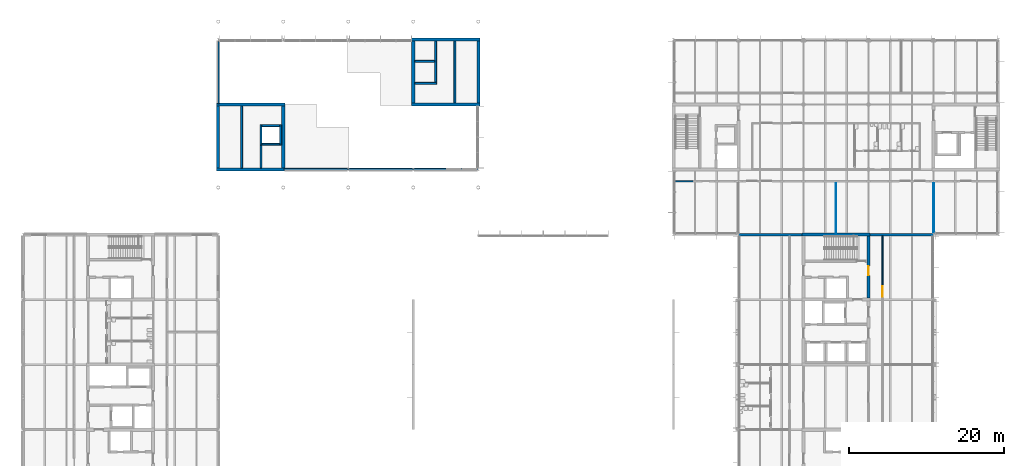
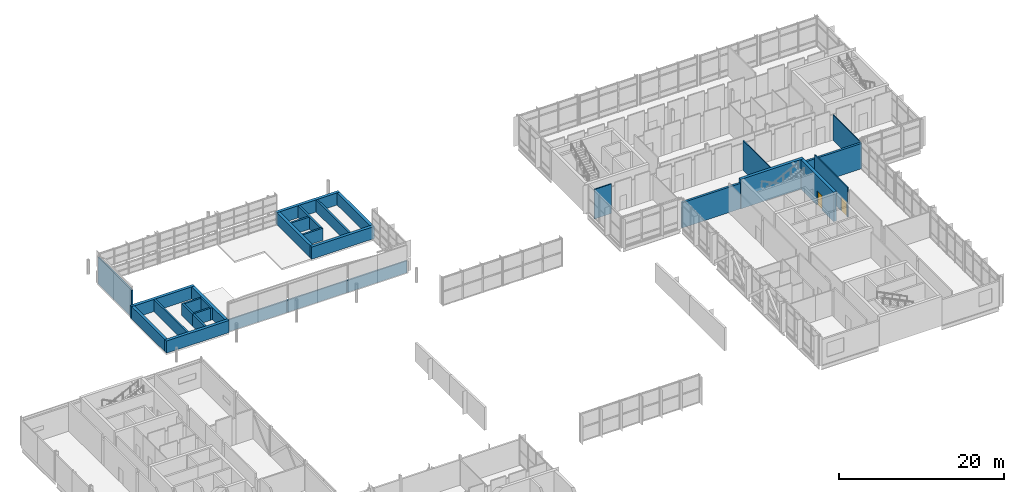
# One storey, part 46 of 72: 30 walls, 2 doors, 2 openings.
"""IFC4 building model written with IfcOpenShell, lengths in metres."""

from ifc_helpers import new_model, si_unit, direction, frame, frame_2d, origin, place, context, subcontext, project, spatial, rectangle, extrude, material, layer, layer_set, type_object, element, fill, save


model = new_model("IFC4")

# Units and contexts
model_context = context("Model", 3, precision=1e-05, world=origin(), true_north=direction((0.0, 1.0)))
body_context = subcontext(model_context, "Body", "Model", "MODEL_VIEW")
ifc_project = project(units=[si_unit("LENGTHUNIT", "METRE"), si_unit("AREAUNIT", "SQUARE_METRE"), si_unit("VOLUMEUNIT", "CUBIC_METRE"), si_unit("PLANEANGLEUNIT", "RADIAN"), si_unit("MASSUNIT", "GRAM", prefix="KILO")], contexts=[model_context])

# Site, building, storey
site_placement = place(None, origin())
site = spatial("IfcSite", under=ifc_project, at=site_placement, CompositionType="ELEMENT")
building_placement = place(site_placement, origin())
building = spatial("IfcBuilding", under=site, at=building_placement, Name="Hlaing Beacon Police Headquarters", CompositionType="ELEMENT")
storey_placement = place(building_placement, frame((0.0, 0.0, 14.39990234375)))
storey = spatial("IfcBuildingStorey", under=building, at=storey_placement, Name="L03", CompositionType="ELEMENT", Elevation=14.39990234375)

# Walls
ifc_material_1 = material(Name="Concrete C40/50", Category="concrete")
ifc_layer_1 = layer(ifc_material_1, 0.300048828125)
ifc_layer_set_1 = layer_set([ifc_layer_1], Name="Concrete C40/50")
wall_type_1 = type_object("IfcWallType", Name="Compartment wall 300", PredefinedType="SOLIDWALL", material=ifc_layer_set_1)
for number, where, z_axis, x_axis, name in (
    (1, (125.998046875, 67.199951171875, 0.0), (0.0, 0.0, 1.0), (-1.0, 0.0, 0.0), "Compartment wall L03 N028"),
    (2, (109.0, 67.199951171875, 0.0), (0.0, 0.0, 1.0), (-1.0, 0.0, 0.0), "Compartment wall L03 N029"),
):
    element("IfcWall", number, at=place(storey_placement, frame(where, z_axis=z_axis, x_axis=x_axis)), inside=storey, type_object=wall_type_1, Name=name, PredefinedType="SOLIDWALL", context=body_context, shape_type="SweptSolid", body=[
        extrude(rectangle(XDim=8.197998046875, YDim=0.300048828125, at=frame_2d((4.09912109375, 0.0))), origin(), (0.0, 0.0, 1.0), 3.74609375),
    ])
ifc_material_2 = material(Name="Concrete C60/75", Category="concrete")
ifc_layer_2 = layer(ifc_material_2, 0.39990234375)
ifc_layer_set_2 = layer_set([ifc_layer_2], Name="Concrete C60/75")
wall_type_2 = type_object("IfcWallType", Name="Core shear wall 400", PredefinedType="SHEAR", material=ifc_layer_set_2)
for number, where, z_axis, x_axis, name in (
    (3, (33.39990234375, 75.60009765625, 0.0), (0.0, 0.0, 1.0), (1.0, 0.0, 0.0), "Core shear wall"),
    (4, (33.39990234375, 84.0, 0.0), (0.0, 0.0, 1.0), (1.0, 0.0, 0.0), "Core shear wall"),
):
    element("IfcWall", number, at=place(storey_placement, frame(where, z_axis=z_axis, x_axis=x_axis)), inside=storey, type_object=wall_type_2, Name=name, PredefinedType="SHEAR", context=body_context, shape_type="SweptSolid", body=[
        extrude(rectangle(XDim=8.800048828125, YDim=0.39990234375, at=frame_2d((4.39990234375, 0.0))), origin(), (0.0, 0.0, 1.0), 1.800048828125),
    ])
for number, where, z_axis, x_axis, name in (
    (5, (33.60009765625, 75.800048828125, 0.0), (0.0, 0.0, 1.0), (0.0, 1.0, 0.0), "Core shear wall"),
    (6, (42.0, 75.800048828125, 0.0), (0.0, 0.0, 1.0), (0.0, 1.0, 0.0), "Core shear wall"),
):
    element("IfcWall", number, at=place(storey_placement, frame(where, z_axis=z_axis, x_axis=x_axis)), inside=storey, type_object=wall_type_2, Name=name, PredefinedType="SHEAR", context=body_context, shape_type="SweptSolid", body=[
        extrude(rectangle(XDim=8.0, YDim=0.39990234375, at=frame_2d((4.0, 0.0))), origin(), (0.0, 0.0, 1.0), 1.800048828125),
    ])
for number, where, z_axis, x_axis, name in (
    (7, (58.60009765625, 84.0, 0.0), (0.0, 0.0, 1.0), (1.0, 0.0, 0.0), "Core shear wall"),
    (8, (58.60009765625, 92.39990234375, 0.0), (0.0, 0.0, 1.0), (1.0, 0.0, 0.0), "Core shear wall"),
):
    element("IfcWall", number, at=place(storey_placement, frame(where, z_axis=z_axis, x_axis=x_axis)), inside=storey, type_object=wall_type_2, Name=name, PredefinedType="SHEAR", context=body_context, shape_type="SweptSolid", body=[
        extrude(rectangle(XDim=8.7998046875, YDim=0.39990234375, at=frame_2d((4.39990234375, 0.0))), origin(), (0.0, 0.0, 1.0), 1.800048828125),
    ])
for number, where, z_axis, x_axis, name in (
    (9, (58.800048828125, 84.199951171875, 0.0), (0.0, 0.0, 1.0), (0.0, 1.0, 0.0), "Core shear wall"),
    (10, (67.199951171875, 84.199951171875, 0.0), (0.0, 0.0, 1.0), (0.0, 1.0, 0.0), "Core shear wall"),
):
    element("IfcWall", number, at=place(storey_placement, frame(where, z_axis=z_axis, x_axis=x_axis)), inside=storey, type_object=wall_type_2, Name=name, PredefinedType="SHEAR", context=body_context, shape_type="SweptSolid", body=[
        extrude(rectangle(XDim=8.0, YDim=0.39990234375, at=frame_2d((4.0, 0.0))), origin(), (0.0, 0.0, 1.0), 1.800048828125),
    ])
wall_1_placement = place(storey_placement, frame((109.0, 67.199951171875, 0.0), z_axis=(0.0, 0.0, 1.0), x_axis=(1.0, 0.0, 0.0)))
element("IfcWall", 11, at=wall_1_placement, inside=storey, type_object=wall_type_2, Name="Core shear wall", PredefinedType="SHEAR", context=body_context, shape_type="SweptSolid", body=[
    extrude(rectangle(XDim=8.800048828125, YDim=0.39990234375, at=frame_2d((4.39990234375, 0.0))), origin(), (0.0, 0.0, 1.0), 4.3701171875),
])

# Wall, opening, door
wall_2_placement = place(storey_placement, frame((117.60009765625, 59.0, 0.0), z_axis=(0.0, 0.0, 1.0), x_axis=(0.0, 1.0, 0.0)))
wall_2 = element("IfcWall", 12, at=wall_2_placement, inside=storey, type_object=wall_type_2, Name="Core shear wall", PredefinedType="SHEAR", context=body_context, shape_type="SweptSolid", body=[
    extrude(rectangle(XDim=8.0, YDim=0.39990234375, at=frame_2d((4.0, 0.0))), origin(), (0.0, 0.0, 1.0), 4.3701171875),
])
opening_1_placement = place(wall_2_placement, frame((2.925048828125, 0.0, 0.0)))
opening_1 = element("IfcOpeningElement", 13, at=opening_1_placement, cuts=wall_2, Name="Opening L03-914", PredefinedType="OPENING", context=body_context, shape_type="SweptSolid", body=[
    extrude(rectangle(XDim=1.199951171875, YDim=2.10009765625, at=frame_2d((0.60009765625, 1.050048828125))), frame((0.0, 0.2099609375, 0.0), z_axis=(0.0, -1.0, 0.0), x_axis=(1.0, 0.0, 0.0)), (0.0, 0.0, 1.0), 0.419921875),
])
ifc_material_3 = material(Name="Steel fire door leaf", Category="steel")
ifc_layer_3 = layer(ifc_material_3, 0.070068359375)
ifc_layer_set_3 = layer_set([ifc_layer_3], Name="Steel fire door leaf")
door_type_1 = type_object("IfcDoorType", Name="Steel fire door FD60S 1200x2100", OperationType="SINGLE_SWING_LEFT", PredefinedType="DOOR", material=ifc_layer_set_3)
door_1_placement = place(opening_1_placement, origin())
door_1 = element("IfcDoor", 14, at=door_1_placement, inside=storey, type_object=door_type_1, Name="Door Stair Lobby ST-M Entry", OperationType="SINGLE_SWING_RIGHT", OverallHeight=2.10009765625, OverallWidth=1.199951171875, PredefinedType="DOOR", context=body_context, shape_type="SweptSolid", body=[
    extrude(rectangle(XDim=1.199951171875, YDim=2.10009765625, at=frame_2d((0.60009765625, 1.050048828125))), frame((0.0, 0.03515625, 0.0), z_axis=(0.0, -1.0, 0.0), x_axis=(1.0, 0.0, 0.0)), (0.0, 0.0, 1.0), 0.070068359375),
])
fill(opening_1, door_1)

ifc_material_4 = material(Name="Gypsum board partition")
ifc_layer_4 = layer(ifc_material_4, 0.14990234375)
ifc_layer_set_4 = layer_set([ifc_layer_4], Name="Gypsum board partition")
wall_type_3 = type_object("IfcWallType", Name="Corridor wall EI 30 150", PredefinedType="PARTITIONING", material=ifc_layer_set_4)
wall_3_placement = place(storey_placement, frame((119.39990234375, 59.030029296875, 0.0), z_axis=(0.0, 0.0, 1.0), x_axis=(0.0, 1.0, 0.0)))
wall_3 = element("IfcWall", 15, at=wall_3_placement, inside=storey, type_object=wall_type_3, Name="Corridor wall EI 30 150", PredefinedType="PARTITIONING", context=body_context, shape_type="SweptSolid", body=[
    extrude(rectangle(XDim=8.02001953125, YDim=0.14990234375, at=frame_2d((4.010009765625, 0.0))), origin(), (0.0, 0.0, 1.0), 4.3701171875),
])
opening_2_placement = place(wall_3_placement, frame((0.169921875, 0.0, 0.0)))
opening_2 = element("IfcOpeningElement", 16, at=opening_2_placement, cuts=wall_3, Name="Opening L03-014", PredefinedType="OPENING", context=body_context, shape_type="SweptSolid", body=[
    extrude(rectangle(XDim=1.35009765625, YDim=2.10009765625, at=frame_2d((0.675048828125, 1.050048828125))), frame((0.0, 0.0849609375, 0.0), z_axis=(0.0, -1.0, 0.0), x_axis=(1.0, 0.0, 0.0)), (0.0, 0.0, 1.0), 0.169921875),
])
ifc_material_5 = material(Name="Hardwood door leaf", Category="wood")
ifc_layer_5 = layer(ifc_material_5, 0.050048828125)
ifc_layer_set_5 = layer_set([ifc_layer_5], Name="Hardwood door leaf")
door_type_2 = type_object("IfcDoorType", Name="Fire leaf-and-a-half door FD30S 1350x2100", OperationType="DOUBLE_DOOR_SINGLE_SWING", PredefinedType="DOOR", material=ifc_layer_set_5)
door_2_placement = place(opening_2_placement, frame((1.35009765625, 0.0, 0.0), z_axis=(0.0, 0.0, 1.0), x_axis=(-1.0, 0.0, 0.0)))
door_2 = element("IfcDoor", 17, at=door_2_placement, inside=storey, type_object=door_type_2, Name="Door Case Management Office", OperationType="DOUBLE_DOOR_SINGLE_SWING", OverallHeight=2.10009765625, OverallWidth=1.35009765625, PredefinedType="DOOR", context=body_context, shape_type="SweptSolid", body=[
    extrude(rectangle(XDim=1.35009765625, YDim=2.10009765625, at=frame_2d((0.675048828125, 1.050048828125))), frame((0.0, 0.025146484375, 0.0), z_axis=(0.0, -1.0, 0.0), x_axis=(1.0, 0.0, 0.0)), (0.0, 0.0, 1.0), 0.050048828125),
])
fill(opening_2, door_2)

# Walls
wall_4_placement = place(storey_placement, frame((92.550048828125, 74.10009765625, 0.0), z_axis=(0.0, 0.0, 1.0), x_axis=(1.0, 0.0, 0.0)))
element("IfcWall", 18, at=wall_4_placement, inside=storey, type_object=wall_type_3, Name="Corridor wall EI 30 150", PredefinedType="PARTITIONING", context=body_context, shape_type="SweptSolid", body=[
    extrude(rectangle(XDim=2.419921875, YDim=0.14990234375, at=frame_2d((1.2099609375, 0.0))), origin(), (0.0, 0.0, 1.0), 4.3701171875),
])
ifc_material_6 = material(Name="Insulated aluminium cladding system", Category="aluminium")
ifc_layer_6 = layer(ifc_material_6, 0.199951171875)
ifc_layer_set_6 = layer_set([ifc_layer_6], Name="Insulated aluminium cladding system")
wall_type_4 = type_object("IfcWallType", Name="Insulated aluminium clad wall 200", PredefinedType="SOLIDWALL", material=ifc_layer_set_6)
wall_5_placement = place(storey_placement, frame((33.64990234375, 92.23046875, 0.0), z_axis=(0.0, 0.0, 1.0), x_axis=(0.0, -1.0, 0.0)))
element("IfcWall", 19, at=wall_5_placement, inside=storey, type_object=wall_type_4, Name="External wall L03 W005", PredefinedType="SOLIDWALL", context=body_context, shape_type="SweptSolid", body=[
    extrude(rectangle(XDim=8.12744140625, YDim=0.199951171875, at=frame_2d((4.063720703125, 0.0))), origin(), (0.0, 0.0, 1.0), 4.003173828125),
])
wall_6_placement = place(storey_placement, frame((42.10302734375, 75.64990234375, 0.0), z_axis=(0.0, 0.0, 1.0), x_axis=(1.0, 0.0, 0.0)))
element("IfcWall", 20, at=wall_6_placement, inside=storey, type_object=wall_type_4, Name="External wall L03 S006", PredefinedType="SOLIDWALL", context=body_context, shape_type="SweptSolid", body=[
    extrude(rectangle(XDim=8.293212890625, YDim=0.199951171875, at=frame_2d((4.146484375, 0.0))), origin(), (0.0, 0.0, 1.0), 1.775146484375),
])
wall_7_placement = place(storey_placement, frame((50.40380859375, 75.64990234375, 0.0), z_axis=(0.0, 0.0, 1.0), x_axis=(1.0, 0.0, 0.0)))
element("IfcWall", 21, at=wall_7_placement, inside=storey, type_object=wall_type_4, Name="External wall L03 S007", PredefinedType="SOLIDWALL", context=body_context, shape_type="SweptSolid", body=[
    extrude(rectangle(XDim=8.392578125, YDim=0.199951171875, at=frame_2d((4.1962890625, 0.0))), origin(), (0.0, 0.0, 1.0), 1.775146484375),
])
wall_8_placement = place(storey_placement, frame((58.8037109375, 75.64990234375, 0.0), z_axis=(0.0, 0.0, 1.0), x_axis=(1.0, 0.0, 0.0)))
element("IfcWall", 22, at=wall_8_placement, inside=storey, type_object=wall_type_4, Name="External wall L03 S008", PredefinedType="SOLIDWALL", context=body_context, shape_type="SweptSolid", body=[
    extrude(rectangle(XDim=8.3916015625, YDim=0.199951171875, at=frame_2d((4.19580078125, 0.0))), origin(), (0.0, 0.0, 1.0), 1.775146484375),
])
ifc_material_7 = material(Name="Gypsum board partition")
ifc_layer_7 = layer(ifc_material_7, 0.125)
ifc_layer_set_7 = layer_set([ifc_layer_7], Name="Gypsum board partition")
wall_type_5 = type_object("IfcWallType", Name="Partition 125", PredefinedType="PARTITIONING", material=ifc_layer_set_7)
wall_9_placement = place(storey_placement, frame((113.39990234375, 67.39990234375, 0.0), z_axis=(0.0, 0.0, 1.0), x_axis=(0.0, 1.0, 0.0)))
element("IfcWall", 23, at=wall_9_placement, inside=storey, type_object=wall_type_5, Name="Partition 125", PredefinedType="PARTITIONING", context=body_context, shape_type="SweptSolid", body=[
    extrude(rectangle(XDim=6.625, YDim=0.125, at=frame_2d((3.3125, 0.0))), origin(), (0.0, 0.0, 1.0), 4.3701171875),
])
wall_10_placement = place(storey_placement, frame((126.0, 67.385986328125, 0.0), z_axis=(0.0, 0.0, 1.0), x_axis=(0.0, 1.0, 0.0)))
element("IfcWall", 24, at=wall_10_placement, inside=storey, type_object=wall_type_5, Name="Partition 125", PredefinedType="PARTITIONING", context=body_context, shape_type="SweptSolid", body=[
    extrude(rectangle(XDim=6.638916015625, YDim=0.125, at=frame_2d((3.3193359375, 0.0))), origin(), (0.0, 0.0, 1.0), 3.74609375),
])
ifc_material_8 = material(Name="Concrete C40/50", Category="concrete")
ifc_layer_8 = layer(ifc_material_8, 0.25)
ifc_layer_set_8 = layer_set([ifc_layer_8], Name="Concrete C40/50")
wall_type_6 = type_object("IfcWallType", Name="Shaft wall 250", PredefinedType="SOLIDWALL", material=ifc_layer_set_8)
wall_11_placement = place(storey_placement, frame((36.625, 83.800048828125, 0.0), z_axis=(0.0, 0.0, 1.0), x_axis=(0.0, -1.0, 0.0)))
element("IfcWall", 25, at=wall_11_placement, inside=storey, type_object=wall_type_6, Name="Stair enclosure wall", PredefinedType="SOLIDWALL", context=body_context, shape_type="SweptSolid", body=[
    extrude(rectangle(XDim=8.0, YDim=0.25, at=frame_2d((4.0, 0.0))), origin(), (0.0, 0.0, 1.0), 1.800048828125),
])
wall_12_placement = place(storey_placement, frame((39.125, 78.75, 0.0), z_axis=(0.0, 0.0, 1.0), x_axis=(0.0, -1.0, 0.0)))
element("IfcWall", 26, at=wall_12_placement, inside=storey, type_object=wall_type_6, Name="Lobby wall", PredefinedType="SOLIDWALL", context=body_context, shape_type="SweptSolid", body=[
    extrude(rectangle(XDim=2.949951171875, YDim=0.25, at=frame_2d((1.47509765625, 0.0))), origin(), (0.0, 0.0, 1.0), 1.800048828125),
])
wall_13_placement = place(storey_placement, frame((64.175048828125, 84.199951171875, 0.0), z_axis=(0.0, 0.0, 1.0), x_axis=(0.0, 1.0, 0.0)))
element("IfcWall", 27, at=wall_13_placement, inside=storey, type_object=wall_type_6, Name="Stair enclosure wall", PredefinedType="SOLIDWALL", context=body_context, shape_type="SweptSolid", body=[
    extrude(rectangle(XDim=8.0, YDim=0.25, at=frame_2d((4.0, 0.0))), origin(), (0.0, 0.0, 1.0), 1.800048828125),
])
wall_14_placement = place(storey_placement, frame((61.800048828125, 86.72509765625, 0.0), z_axis=(0.0, 0.0, 1.0), x_axis=(-1.0, 0.0, 0.0)))
element("IfcWall", 28, at=wall_14_placement, inside=storey, type_object=wall_type_6, Name="Lobby wall", PredefinedType="SOLIDWALL", context=body_context, shape_type="SweptSolid", body=[
    extrude(rectangle(XDim=2.800048828125, YDim=0.25, at=frame_2d((1.39990234375, 0.0))), origin(), (0.0, 0.0, 1.0), 1.800048828125),
])
wall_15_placement = place(storey_placement, frame((61.675048828125, 86.85009765625, 0.0), z_axis=(0.0, 0.0, 1.0), x_axis=(0.0, 1.0, 0.0)))
element("IfcWall", 29, at=wall_15_placement, inside=storey, type_object=wall_type_6, Name="Lobby wall", PredefinedType="SOLIDWALL", context=body_context, shape_type="SweptSolid", body=[
    extrude(rectangle(XDim=5.349853515625, YDim=0.25, at=frame_2d((2.6748046875, 0.0))), origin(), (0.0, 0.0, 1.0), 1.800048828125),
])
wall_16_placement = place(storey_placement, frame((61.550048828125, 89.574951171875, 0.0), z_axis=(0.0, 0.0, 1.0), x_axis=(-1.0, 0.0, 0.0)))
element("IfcWall", 30, at=wall_16_placement, inside=storey, type_object=wall_type_6, Name="Riser wall", PredefinedType="SOLIDWALL", context=body_context, shape_type="SweptSolid", body=[
    extrude(rectangle(XDim=2.550048828125, YDim=0.25, at=frame_2d((1.27490234375, 0.0))), origin(), (0.0, 0.0, 1.0), 1.800048828125),
])
wall_17_placement = place(storey_placement, frame((41.675048828125, 78.75, 0.0), z_axis=(0.0, 0.0, 1.0), x_axis=(0.0, 1.0, 0.0)))
element("IfcWall", 31, at=wall_17_placement, inside=storey, type_object=wall_type_6, Name="Lift shaft wall PL3", PredefinedType="SOLIDWALL", context=body_context, shape_type="SweptSolid", body=[
    extrude(rectangle(XDim=2.64990234375, YDim=0.25, at=frame_2d((1.324951171875, 0.0))), origin(), (0.0, 0.0, 1.0), 1.800048828125),
])
for number, where, z_axis, x_axis, name in (
    (32, (39.25, 81.27490234375, 0.0), (0.0, 0.0, 1.0), (1.0, 0.0, 0.0), "Lift shaft wall PL3"),
    (33, (39.25, 78.875, 0.0), (0.0, 0.0, 1.0), (1.0, 0.0, 0.0), "Lift shaft wall PL3"),
):
    element("IfcWall", number, at=place(storey_placement, frame(where, z_axis=z_axis, x_axis=x_axis)), inside=storey, type_object=wall_type_6, Name=name, PredefinedType="SOLIDWALL", context=body_context, shape_type="SweptSolid", body=[
        extrude(rectangle(XDim=2.300048828125, YDim=0.25, at=frame_2d((1.14990234375, 0.0))), origin(), (0.0, 0.0, 1.0), 1.800048828125),
    ])
wall_18_placement = place(storey_placement, frame((39.125, 78.75, 0.0), z_axis=(0.0, 0.0, 1.0), x_axis=(0.0, 1.0, 0.0)))
element("IfcWall", 34, at=wall_18_placement, inside=storey, type_object=wall_type_6, Name="Lift shaft wall PL3", PredefinedType="SOLIDWALL", context=body_context, shape_type="SweptSolid", body=[
    extrude(rectangle(XDim=2.64990234375, YDim=0.25, at=frame_2d((1.324951171875, 0.0))), origin(), (0.0, 0.0, 1.0), 1.800048828125),
])

save(model, "model.ifc")
